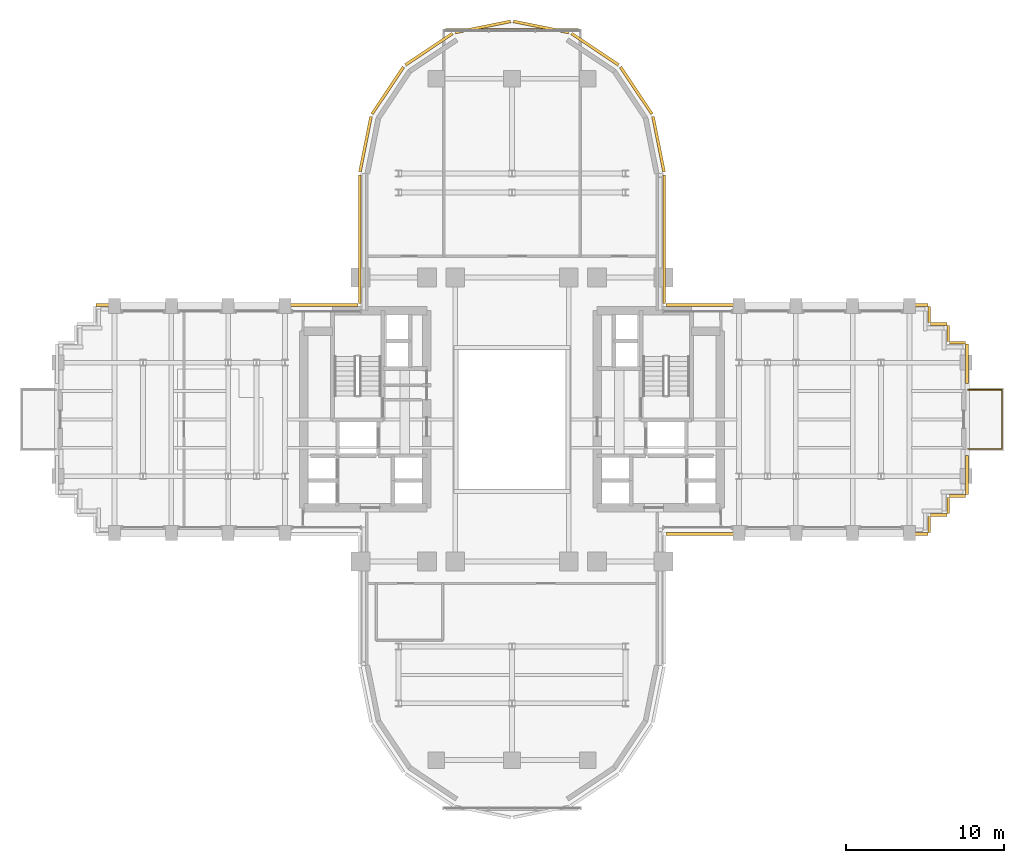
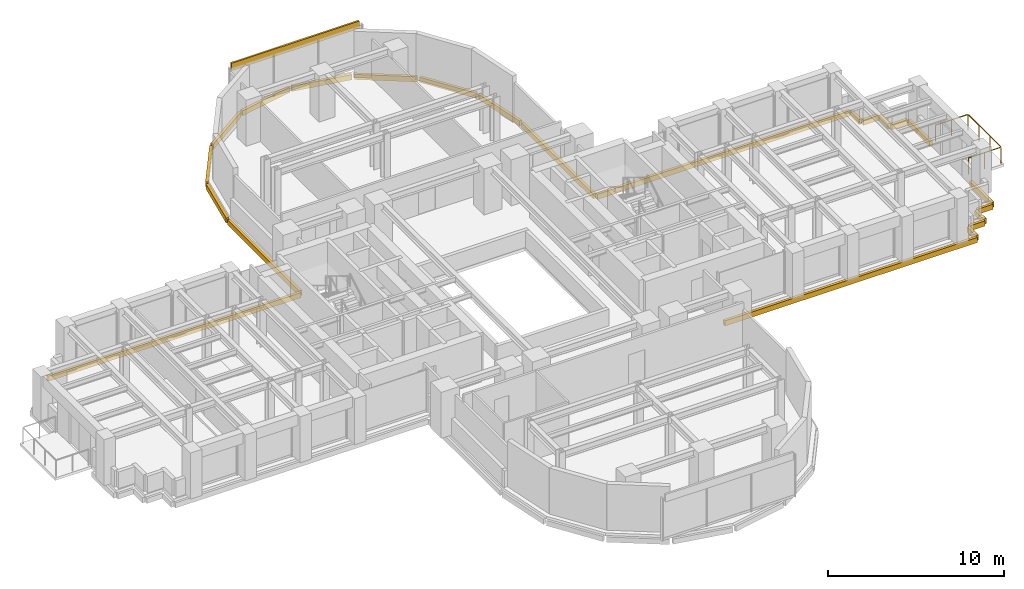
# One storey, part 15 of 15: 24 coverings, 1 railing.
"""IFC4 building model written with IfcOpenShell, lengths in metres."""

from ifc_helpers import new_model, si_unit, direction, frame, origin, origin_2d, place, context, subcontext, project, spatial, rectangle, extrude, source, transform, mapped, material, layer, layer_set, type_object, element, save


model = new_model("IFC4")

# Units and contexts
model_context = context("Model", 3, precision=1e-05, world=origin(), true_north=direction((0.0, 1.0)))
body_context = subcontext(model_context, "Body", "Model", "MODEL_VIEW")
ifc_project = project(units=[si_unit("LENGTHUNIT", "METRE"), si_unit("AREAUNIT", "SQUARE_METRE"), si_unit("VOLUMEUNIT", "CUBIC_METRE"), si_unit("PLANEANGLEUNIT", "RADIAN"), si_unit("MASSUNIT", "GRAM", prefix="KILO")], contexts=[model_context])

# Site, building, storey
site_placement = place(None, origin())
site = spatial("IfcSite", under=ifc_project, at=site_placement, CompositionType="ELEMENT")
building_placement = place(site_placement, origin())
building = spatial("IfcBuilding", under=site, at=building_placement, Name="Keilestroom Media Tower", CompositionType="ELEMENT")
storey_placement = place(building_placement, frame((0.0, 0.0, 40.800048828125)))
storey = spatial("IfcBuildingStorey", under=building, at=storey_placement, Name="L09", CompositionType="ELEMENT", Elevation=40.800048828125)

# Railing
ifc_material_1 = material(Name="Laminated Safety Glass & Stainless Steel", Category="steel")
railing_type = type_object("IfcRailingType", Name="Terrace-And-Atrium-Guard-Balustrade-GD-EXT", PredefinedType="BALUSTRADE", material=ifc_material_1)
railing_placement = place(storey_placement, frame((28.919921875, -1.8798828125, 0.0)))
element("IfcRailing", 1, at=railing_placement, inside=storey, type_object=railing_type, Name="L09 Terrace Perimeter Guard L09-E", PredefinedType="BALUSTRADE", context=body_context, shape_type="SweptSolid", body=[
    extrude(rectangle(XDim=0.048095703125, YDim=0.048095703125, at=origin_2d()), frame((0.0, 0.0, 1.1259765625), z_axis=(1.0, 0.0, 0.0), x_axis=(0.0, 1.0, 0.0)), (0.0, 0.0, 1.0), 2.112060546875),
    extrude(rectangle(XDim=0.048095703125, YDim=0.048095703125, at=origin_2d()), frame((2.16015625, 0.048095703125, 1.1259765625), z_axis=(0.0, 1.0, 0.0), x_axis=(-1.0, 0.0, 0.0)), (0.0, 0.0, 1.0), 3.66357421875),
    extrude(rectangle(XDim=0.048095703125, YDim=0.048095703125, at=origin_2d()), frame((2.112060546875, 3.759765625, 1.1259765625), z_axis=(-1.0, 0.0, 0.0), x_axis=(0.0, -1.0, 0.0)), (0.0, 0.0, 1.0), 2.112060546875),
    extrude(rectangle(XDim=0.0419921875, YDim=0.0419921875, at=origin_2d()), origin(), (0.0, 0.0, 1.0), 1.09375),
    extrude(rectangle(XDim=0.0419921875, YDim=0.0419921875, at=origin_2d()), frame((1.080078125, 0.0, 0.0)), (0.0, 0.0, 1.0), 1.09375),
    extrude(rectangle(XDim=0.0419921875, YDim=0.0419921875, at=origin_2d()), frame((2.16015625, 0.0, 0.0)), (0.0, 0.0, 1.0), 1.09375),
    extrude(rectangle(XDim=0.0419921875, YDim=0.0419921875, at=origin_2d()), frame((2.16015625, 1.253173828125, 0.0)), (0.0, 0.0, 1.0), 1.09375),
    extrude(rectangle(XDim=0.0419921875, YDim=0.0419921875, at=origin_2d()), frame((2.16015625, 2.506591796875, 0.0)), (0.0, 0.0, 1.0), 1.09375),
    extrude(rectangle(XDim=0.0419921875, YDim=0.0419921875, at=origin_2d()), frame((2.16015625, 3.759765625, 0.0)), (0.0, 0.0, 1.0), 1.09375),
    extrude(rectangle(XDim=0.0419921875, YDim=0.0419921875, at=origin_2d()), frame((1.080078125, 3.759765625, 0.0)), (0.0, 0.0, 1.0), 1.09375),
    extrude(rectangle(XDim=0.0419921875, YDim=0.0419921875, at=origin_2d()), frame((0.0, 3.759765625, 0.0)), (0.0, 0.0, 1.0), 1.09375),
])

# Coverings
ifc_material_2 = material(Name="Precast concrete C40/50", Category="concrete")
ifc_layer = layer(ifc_material_2, 0.1201171875)
ifc_layer_set = layer_set([ifc_layer], Name="Precast concrete C40/50")
covering_type = type_object("IfcCoveringType", Name="Exterior-Precast-Spandrel-Cladding-Panel-120", PredefinedType="CLADDING", material=ifc_layer_set)
shared_shape_1 = source(origin(), body_context, "Body", "SweptSolid", [
    extrude(rectangle(XDim=8.39990234375, YDim=0.1201171875, at=origin_2d()), origin(), (0.0, 0.0, 1.0), 0.52001953125),
])
covering_placement = place(storey_placement, frame((0.0, 24.719970703125, 2.68994140625), z_axis=(0.0, 0.0, 1.0), x_axis=(1.0, 0.0, 0.0)))
element("IfcCovering", 2, at=covering_placement, inside=storey, type_object=covering_type, Name="L09 Precast Spandrel Cladding N", PredefinedType="CLADDING", context=body_context, shape_type="MappedRepresentation", body=[
    mapped(shared_shape_1, transform((0.0, 0.0, 0.0), x_axis=(1.0, 0.0, 0.0), y_axis=(0.0, 1.0, 0.0), z_axis=(0.0, 0.0, 1.0), scale=1.0)),
])
shared_shape_2 = source(origin(), body_context, "Body", "SweptSolid", [
    extrude(rectangle(XDim=1.02001953125, YDim=0.179931640625, at=origin_2d()), origin(), (0.0, 0.0, 1.0), 0.360107421875),
])
for number, where, z_axis, x_axis, name in (
    (3, (28.260009765625, -4.860107421875, -0.5400390625), (0.0, 0.0, 1.0), (-1.0, 0.0, 0.0), "L09 Precast Slab-Edge Fascia Cornice 01"),
    (4, (27.659912109375, -5.4599609375, -0.5400390625), (0.0, 0.0, 1.0), (0.0, -1.0, 0.0), "L09 Precast Slab-Edge Fascia Cornice 02"),
    (5, (27.06005859375, -6.06005859375, -0.5400390625), (0.0, 0.0, 1.0), (-1.0, 0.0, 0.0), "L09 Precast Slab-Edge Fascia Cornice 03"),
    (6, (26.4599609375, -6.659912109375, -0.5400390625), (0.0, 0.0, 1.0), (0.0, -1.0, 0.0), "L09 Precast Slab-Edge Fascia Cornice 04"),
    (7, (26.4599609375, 6.659912109375, -0.5400390625), (0.0, 0.0, 1.0), (0.0, -1.0, 0.0), "L09 Precast Slab-Edge Fascia Cornice 39"),
    (8, (27.06005859375, 6.06005859375, -0.5400390625), (0.0, 0.0, 1.0), (1.0, 0.0, 0.0), "L09 Precast Slab-Edge Fascia Cornice 40"),
    (9, (27.659912109375, 5.4599609375, -0.5400390625), (0.0, 0.0, 1.0), (0.0, -1.0, 0.0), "L09 Precast Slab-Edge Fascia Cornice 41"),
    (10, (28.260009765625, 4.860107421875, -0.5400390625), (0.0, 0.0, 1.0), (1.0, 0.0, 0.0), "L09 Precast Slab-Edge Fascia Cornice 42"),
):
    element("IfcCovering", number, at=place(storey_placement, frame(where, z_axis=z_axis, x_axis=x_axis)), inside=storey, type_object=covering_type, Name=name, PredefinedType="CLADDING", context=body_context, shape_type="MappedRepresentation", body=[
        mapped(shared_shape_2, transform((0.0, 0.0, 0.0), x_axis=(1.0, 0.0, 0.0), y_axis=(0.0, 1.0, 0.0), z_axis=(0.0, 0.0, 1.0), scale=1.0)),
    ])
shared_shape_3 = source(origin(), body_context, "Body", "SweptSolid", [
    extrude(rectangle(XDim=16.6201171875, YDim=0.179931640625, at=origin_2d()), origin(), (0.0, 0.0, 1.0), 0.360107421875),
])
for number, where, z_axis, x_axis, name in (
    (11, (18.06005859375, -7.260009765625, -0.5400390625), (0.0, 0.0, 1.0), (-1.0, 0.0, 0.0), "L09 Precast Slab-Edge Fascia Cornice 05"),
    (12, (-18.06005859375, 7.260009765625, -0.5400390625), (0.0, 0.0, 1.0), (1.0, 0.0, 0.0), "L09 Precast Slab-Edge Fascia Cornice 27"),
    (13, (18.06005859375, 7.260009765625, -0.5400390625), (0.0, 0.0, 1.0), (1.0, 0.0, 0.0), "L09 Precast Slab-Edge Fascia Cornice 38"),
):
    element("IfcCovering", number, at=place(storey_placement, frame(where, z_axis=z_axis, x_axis=x_axis)), inside=storey, type_object=covering_type, Name=name, PredefinedType="CLADDING", context=body_context, shape_type="MappedRepresentation", body=[
        mapped(shared_shape_3, transform((0.0, 0.0, 0.0), x_axis=(1.0, 0.0, 0.0), y_axis=(0.0, 1.0, 0.0), z_axis=(0.0, 0.0, 1.0), scale=1.0)),
    ])
shared_shape_4 = source(origin(), body_context, "Body", "SweptSolid", [
    extrude(rectangle(XDim=8.166015625, YDim=0.179931640625, at=origin_2d()), origin(), (0.0, 0.0, 1.0), 0.360107421875),
])
for number, where, z_axis, x_axis, name in (
    (14, (-9.659912109375, 11.43310546875, -0.5400390625), (0.0, 0.0, 1.0), (0.0, 1.0, 0.0), "L09 Precast Slab-Edge Fascia Cornice 28"),
    (15, (9.659912109375, 11.43310546875, -0.5400390625), (0.0, 0.0, 1.0), (0.0, -1.0, 0.0), "L09 Precast Slab-Edge Fascia Cornice 37"),
):
    element("IfcCovering", number, at=place(storey_placement, frame(where, z_axis=z_axis, x_axis=x_axis)), inside=storey, type_object=covering_type, Name=name, PredefinedType="CLADDING", context=body_context, shape_type="MappedRepresentation", body=[
        mapped(shared_shape_4, transform((0.0, 0.0, 0.0), x_axis=(1.0, 0.0, 0.0), y_axis=(0.0, 1.0, 0.0), z_axis=(0.0, 0.0, 1.0), scale=1.0)),
    ])
shared_shape_5 = source(origin(), body_context, "Body", "SweptSolid", [
    extrude(rectangle(XDim=3.58349609375, YDim=0.179931640625, at=origin_2d()), origin(), (0.0, 0.0, 1.0), 0.360107421875),
])
for number, where, z_axis, x_axis, name in (
    (16, (-9.29296875, 17.45166015625, -0.5400390625), (0.0, 0.0, 1.0), (0.195098880975, 0.980783577882, 0.0), "L09 Precast Slab-Edge Fascia Cornice 29"),
    (17, (9.29296875, 17.45166015625, -0.5400390625), (0.0, 0.0, 1.0), (0.195098880975, -0.980783577882, 0.0), "L09 Precast Slab-Edge Fascia Cornice 36"),
):
    element("IfcCovering", number, at=place(storey_placement, frame(where, z_axis=z_axis, x_axis=x_axis)), inside=storey, type_object=covering_type, Name=name, PredefinedType="CLADDING", context=body_context, shape_type="MappedRepresentation", body=[
        mapped(shared_shape_5, transform((0.0, 0.0, 0.0), x_axis=(1.0, 0.0, 0.0), y_axis=(0.0, 1.0, 0.0), z_axis=(0.0, 0.0, 1.0), scale=1.0)),
    ])
shared_shape_6 = source(origin(), body_context, "Body", "SweptSolid", [
    extrude(rectangle(XDim=3.589599609375, YDim=0.179931640625, at=origin_2d()), origin(), (0.0, 0.0, 1.0), 0.360107421875),
])
for number, where, z_axis, x_axis, name in (
    (18, (-7.878662109375, 20.8642578125, -0.5400390625), (0.0, 0.0, 1.0), (0.555574586577, 0.831466703332, 0.0), "L09 Precast Slab-Edge Fascia Cornice 30"),
    (19, (-5.264404296875, 23.478515625, -0.5400390625), (0.0, 0.0, 1.0), (0.831466703332, 0.555574586577, 0.0), "L09 Precast Slab-Edge Fascia Cornice 31"),
    (20, (-1.8486328125, 24.893310546875, -0.5400390625), (0.0, 0.0, 1.0), (0.980783577882, 0.195098880975, 0.0), "L09 Precast Slab-Edge Fascia Cornice 32"),
    (21, (1.8486328125, 24.893310546875, -0.5400390625), (0.0, 0.0, 1.0), (0.980783577882, -0.195098880975, 0.0), "L09 Precast Slab-Edge Fascia Cornice 33"),
    (22, (5.264404296875, 23.478515625, -0.5400390625), (0.0, 0.0, 1.0), (0.831466703332, -0.555574586577, 0.0), "L09 Precast Slab-Edge Fascia Cornice 34"),
    (23, (7.878662109375, 20.8642578125, -0.5400390625), (0.0, 0.0, 1.0), (0.555574586577, -0.831466703332, 0.0), "L09 Precast Slab-Edge Fascia Cornice 35"),
):
    element("IfcCovering", number, at=place(storey_placement, frame(where, z_axis=z_axis, x_axis=x_axis)), inside=storey, type_object=covering_type, Name=name, PredefinedType="CLADDING", context=body_context, shape_type="MappedRepresentation", body=[
        mapped(shared_shape_6, transform((0.0, 0.0, 0.0), x_axis=(1.0, 0.0, 0.0), y_axis=(0.0, 1.0, 0.0), z_axis=(0.0, 0.0, 1.0), scale=1.0)),
    ])
shared_shape_7 = source(origin(), body_context, "Body", "SweptSolid", [
    extrude(rectangle(XDim=2.5, YDim=0.179931640625, at=origin_2d()), origin(), (0.0, 0.0, 1.0), 0.360107421875),
])
for number, where, z_axis, x_axis, name in (
    (24, (28.860107421875, 3.52001953125, -0.5400390625), (0.0, 0.0, 1.0), (0.0, -1.0, 0.0), "L09 Precast Slab-Edge Fascia Cornice 43"),
    (25, (28.860107421875, -3.52001953125, -0.5400390625), (0.0, 0.0, 1.0), (0.0, -1.0, 0.0), "L09 Precast Slab-Edge Fascia Cornice 44"),
):
    element("IfcCovering", number, at=place(storey_placement, frame(where, z_axis=z_axis, x_axis=x_axis)), inside=storey, type_object=covering_type, Name=name, PredefinedType="CLADDING", context=body_context, shape_type="MappedRepresentation", body=[
        mapped(shared_shape_7, transform((0.0, 0.0, 0.0), x_axis=(1.0, 0.0, 0.0), y_axis=(0.0, 1.0, 0.0), z_axis=(0.0, 0.0, 1.0), scale=1.0)),
    ])

save(model, "model.ifc")
